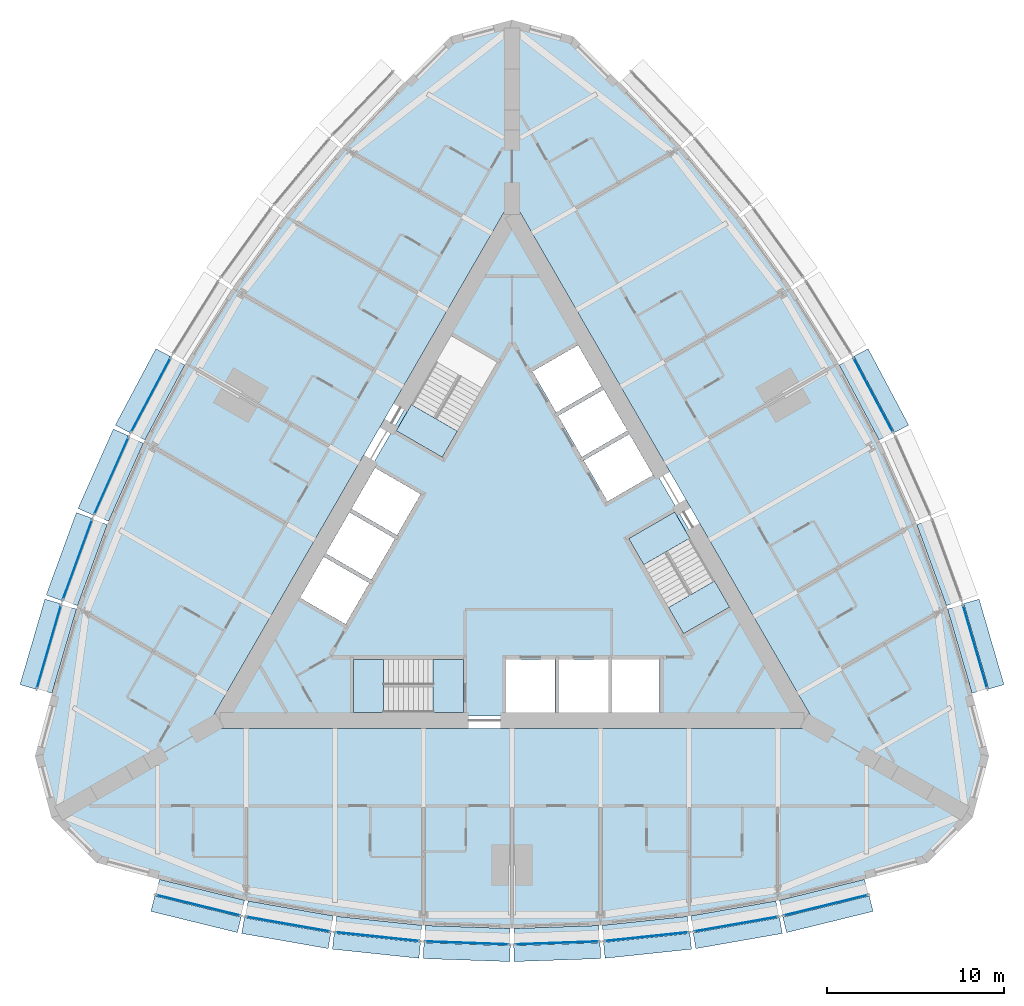
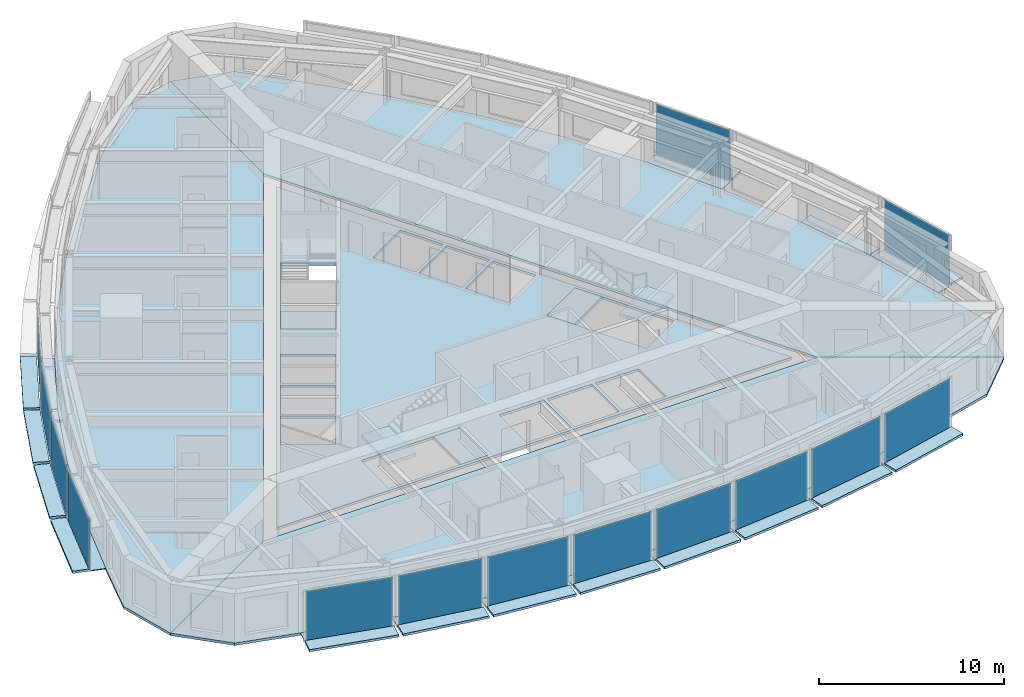
# One storey, part 6 of 14: 43 plates, 9 slabs, 17 elements without a shape of their own.
"""IFC4 building model written with IfcOpenShell, lengths in metres."""

from ifc_helpers import new_model, si_unit, direction, frame, origin, origin_2d, place, context, subcontext, project, spatial, polyline, rectangle, outline, extrude, material, layer, layer_set, type_object, element, aggregate, save


model = new_model("IFC4")

# Units and contexts
model_context = context("Model", 3, precision=1e-05, world=origin(), true_north=direction((0.0, 1.0)))
body_context = subcontext(model_context, "Body", "Model", "MODEL_VIEW")
ifc_project = project(units=[si_unit("LENGTHUNIT", "METRE"), si_unit("AREAUNIT", "SQUARE_METRE"), si_unit("VOLUMEUNIT", "CUBIC_METRE"), si_unit("PLANEANGLEUNIT", "RADIAN"), si_unit("MASSUNIT", "GRAM", prefix="KILO")], contexts=[model_context])

# Site, building, storey
site_placement = place(None, origin())
site = spatial("IfcSite", under=ifc_project, at=site_placement, CompositionType="ELEMENT")
building_placement = place(site_placement, origin())
building = spatial("IfcBuilding", under=site, at=building_placement, Name="Trikona Tower", CompositionType="ELEMENT")
storey_placement = place(building_placement, frame((0.0, 0.0, 124.89990234375)))
storey = spatial("IfcBuildingStorey", under=building, at=storey_placement, Name="L32", CompositionType="ELEMENT", Elevation=124.89990234375)

# Plates
ifc_material_1 = material(Name="Aluminium bar grating", Category="aluminium")
ifc_layer_1 = layer(ifc_material_1, 0.050048828125)
ifc_layer_set_1 = layer_set([ifc_layer_1], Name="Cavity catwalk grating")
plate_type_1 = type_object("IfcPlateType", Name="Cavity catwalk grating", PredefinedType="USERDEFINED", material=ifc_layer_set_1)
plate_1_placement = place(storey_placement, frame((-17.598876953125, -19.49072265625, -0.0498046875), z_axis=(0.0, 0.0, 1.0), x_axis=(0.971274411564, -0.237962218516, 0.0)))
element("IfcPlate", 1, at=plate_1_placement, inside=storey, type_object=plate_type_1, Name="Cavity catwalk L32-00", ObjectType="CATWALK GRATING", PredefinedType="USERDEFINED", context=body_context, shape_type="SweptSolid", body=[
    extrude(rectangle(XDim=4.947998046875, YDim=0.830078125, at=origin_2d()), origin(), (0.0, 0.0, 1.0), 0.050048828125),
])
plate_2_placement = place(storey_placement, frame((-12.571533203125, -20.54638671875, -0.0498046875), z_axis=(0.0, 0.0, 1.0), x_axis=(0.985030604067, -0.172379549401, 0.0)))
element("IfcPlate", 2, at=plate_2_placement, inside=storey, type_object=plate_type_1, Name="Cavity catwalk L32-01", ObjectType="CATWALK GRATING", PredefinedType="USERDEFINED", context=body_context, shape_type="SweptSolid", body=[
    extrude(rectangle(XDim=4.8759765625, YDim=0.830078125, at=origin_2d()), origin(), (0.0, 0.0, 1.0), 0.050048828125),
])
plate_3_placement = place(storey_placement, frame((-7.543212890625, -21.25048828125, -0.0498046875), z_axis=(0.0, 0.0, 1.0), x_axis=(0.994532653854, -0.104426052392, 0.0)))
element("IfcPlate", 3, at=plate_3_placement, inside=storey, type_object=plate_type_1, Name="Cavity catwalk L32-02", ObjectType="CATWALK GRATING", PredefinedType="USERDEFINED", context=body_context, shape_type="SweptSolid", body=[
    extrude(rectangle(XDim=4.827392578125, YDim=0.830078125, at=origin_2d()), origin(), (0.0, 0.0, 1.0), 0.050048828125),
])
for number, where, z_axis, x_axis, name in (
    (4, (-2.514404296875, -21.602294921875, -0.0498046875), (0.0, 0.0, 1.0), (0.999388082937, -0.034977988567, 0.0), "Cavity catwalk L32-03"),
    (5, (2.514404296875, -21.602294921875, -0.0498046875), (0.0, 0.0, 1.0), (0.999388082937, 0.034977988567, 0.0), "Cavity catwalk L32-04"),
):
    element("IfcPlate", number, at=place(storey_placement, frame(where, z_axis=z_axis, x_axis=x_axis)), inside=storey, type_object=plate_type_1, Name=name, ObjectType="CATWALK GRATING", PredefinedType="USERDEFINED", context=body_context, shape_type="SweptSolid", body=[
        extrude(rectangle(XDim=4.802978515625, YDim=0.830078125, at=origin_2d()), origin(), (0.0, 0.0, 1.0), 0.050048828125),
    ])
plate_4_placement = place(storey_placement, frame((7.543212890625, -21.25048828125, -0.0498046875), z_axis=(0.0, 0.0, 1.0), x_axis=(0.994532653854, 0.104426052392, 0.0)))
element("IfcPlate", 6, at=plate_4_placement, inside=storey, type_object=plate_type_1, Name="Cavity catwalk L32-05", ObjectType="CATWALK GRATING", PredefinedType="USERDEFINED", context=body_context, shape_type="SweptSolid", body=[
    extrude(rectangle(XDim=4.827392578125, YDim=0.830078125, at=origin_2d()), origin(), (0.0, 0.0, 1.0), 0.050048828125),
])
plate_5_placement = place(storey_placement, frame((12.571533203125, -20.54638671875, -0.0498046875), z_axis=(0.0, 0.0, 1.0), x_axis=(0.985030604067, 0.172379549401, 0.0)))
element("IfcPlate", 7, at=plate_5_placement, inside=storey, type_object=plate_type_1, Name="Cavity catwalk L32-06", ObjectType="CATWALK GRATING", PredefinedType="USERDEFINED", context=body_context, shape_type="SweptSolid", body=[
    extrude(rectangle(XDim=4.8759765625, YDim=0.830078125, at=origin_2d()), origin(), (0.0, 0.0, 1.0), 0.050048828125),
])
plate_6_placement = place(storey_placement, frame((17.598876953125, -19.49072265625, -0.0498046875), z_axis=(0.0, 0.0, 1.0), x_axis=(0.971274411564, 0.237962218516, 0.0)))
element("IfcPlate", 8, at=plate_6_placement, inside=storey, type_object=plate_type_1, Name="Cavity catwalk L32-07", ObjectType="CATWALK GRATING", PredefinedType="USERDEFINED", context=body_context, shape_type="SweptSolid", body=[
    extrude(rectangle(XDim=4.947998046875, YDim=0.830078125, at=origin_2d()), origin(), (0.0, 0.0, 1.0), 0.050048828125),
])
plate_7_placement = place(storey_placement, frame((25.678955078125, -5.49560546875, -0.0498046875), z_axis=(0.0, 0.0, 1.0), x_axis=(-0.279554203664, 0.960129911634, 0.0)))
element("IfcPlate", 9, at=plate_7_placement, inside=storey, type_object=plate_type_1, Name="Cavity catwalk L32-12", ObjectType="CATWALK GRATING", PredefinedType="USERDEFINED", context=body_context, shape_type="SweptSolid", body=[
    extrude(rectangle(XDim=4.94775390625, YDim=0.830078125, at=origin_2d()), origin(), (0.0, 0.0, 1.0), 0.050048828125),
])
plate_8_placement = place(storey_placement, frame((24.07958984375, -0.614013671875, -0.0498046875), z_axis=(0.0, 0.0, 1.0), x_axis=(-0.343220397324, 0.939254895575, 0.0)))
element("IfcPlate", 10, at=plate_8_placement, inside=storey, type_object=plate_type_1, Name="Cavity catwalk L32-13", ObjectType="CATWALK GRATING", PredefinedType="USERDEFINED", context=body_context, shape_type="SweptSolid", body=[
    extrude(rectangle(XDim=4.8759765625, YDim=0.830078125, at=origin_2d()), origin(), (0.0, 0.0, 1.0), 0.050048828125),
])
for number, where, z_axis, x_axis, name in (
    (11, (19.965576171875, 8.62353515625, -0.0498046875), (0.0, 0.0, 1.0), (-0.469397591494, 0.882986920118, 0.0), "Cavity catwalk L32-15"),
    (12, (-19.965576171875, 8.62353515625, -0.0498046875), (0.0, 0.0, 1.0), (-0.469397591494, -0.882986920118, 0.0), "Cavity catwalk L32-28"),
):
    element("IfcPlate", number, at=place(storey_placement, frame(where, z_axis=z_axis, x_axis=x_axis)), inside=storey, type_object=plate_type_1, Name=name, ObjectType="CATWALK GRATING", PredefinedType="USERDEFINED", context=body_context, shape_type="SweptSolid", body=[
        extrude(rectangle(XDim=4.802978515625, YDim=0.830078125, at=origin_2d()), origin(), (0.0, 0.0, 1.0), 0.050048828125),
    ])
plate_9_placement = place(storey_placement, frame((-22.175048828125, 4.092529296875, -0.0498046875), z_axis=(0.0, 0.0, 1.0), x_axis=(-0.406843467615, -0.913497888809, 0.0)))
element("IfcPlate", 13, at=plate_9_placement, inside=storey, type_object=plate_type_1, Name="Cavity catwalk L32-29", ObjectType="CATWALK GRATING", PredefinedType="USERDEFINED", context=body_context, shape_type="SweptSolid", body=[
    extrude(rectangle(XDim=4.827392578125, YDim=0.830078125, at=origin_2d()), origin(), (0.0, 0.0, 1.0), 0.050048828125),
])
plate_10_placement = place(storey_placement, frame((-24.07958984375, -0.614013671875, -0.0498046875), z_axis=(0.0, 0.0, 1.0), x_axis=(-0.343220397324, -0.939254895575, 0.0)))
element("IfcPlate", 14, at=plate_10_placement, inside=storey, type_object=plate_type_1, Name="Cavity catwalk L32-30", ObjectType="CATWALK GRATING", PredefinedType="USERDEFINED", context=body_context, shape_type="SweptSolid", body=[
    extrude(rectangle(XDim=4.8759765625, YDim=0.830078125, at=origin_2d()), origin(), (0.0, 0.0, 1.0), 0.050048828125),
])
plate_11_placement = place(storey_placement, frame((-25.678955078125, -5.49560546875, -0.0498046875), z_axis=(0.0, 0.0, 1.0), x_axis=(-0.279554203664, -0.960129911634, 0.0)))
element("IfcPlate", 15, at=plate_11_placement, inside=storey, type_object=plate_type_1, Name="Cavity catwalk L32-31", ObjectType="CATWALK GRATING", PredefinedType="USERDEFINED", context=body_context, shape_type="SweptSolid", body=[
    extrude(rectangle(XDim=4.94775390625, YDim=0.830078125, at=origin_2d()), origin(), (0.0, 0.0, 1.0), 0.050048828125),
])

# Slabs
ifc_material_2 = material(Name="Concrete f'c 5000 psi lightweight on composite steel deck", Category="concrete")
ifc_layer_2 = layer(ifc_material_2, 0.1650390625)
ifc_layer_set_2 = layer_set([ifc_layer_2], Name="Composite floor slab 165")
slab_type_1 = type_object("IfcSlabType", Name="Composite floor slab 165", PredefinedType="FLOOR", material=ifc_layer_set_2)
slab_1_placement = place(storey_placement, frame((0.0, 0.0, -0.164794921875)))
element("IfcSlab", 16, at=slab_1_placement, inside=storey, type_object=slab_type_1, Name="Floor slab L32 core", PredefinedType="FLOOR", context=body_context, shape_type="SweptSolid", body=[
    extrude(outline(polyline([(-16.06689453125, -9.2763671875), (16.06689453125, -9.2763671875), (0.0, 18.552490234375), (-16.06689453125, -9.2763671875)]), holes=[polyline([(12.285400390625, -3.126220703125), (9.185302734375, 2.2431640625), (6.587158203125, 0.7431640625), (9.687255859375, -4.626220703125), (12.285400390625, -3.126220703125)]), polyline([(8.340087890625, -9.06640625), (8.340087890625, -6.086181640625), (5.659912109375, -6.086181640625), (5.659912109375, -9.06640625), (8.340087890625, -9.06640625)]), polyline([(5.390869140625, 2.835205078125), (7.9716796875, 4.3251953125), (6.631591796875, 6.646240234375), (4.05078125, 5.15625), (5.390869140625, 2.835205078125)]), polyline([(2.600830078125, 7.667724609375), (3.94091796875, 5.3466796875), (6.521484375, 6.8369140625), (5.181640625, 9.15771484375), (2.600830078125, 7.667724609375)]), polyline([(5.43994140625, -6.086181640625), (2.659912109375, -6.086181640625), (2.659912109375, -9.06640625), (5.43994140625, -9.06640625), (5.43994140625, -6.086181640625)]), polyline([(3.731689453125, 11.669189453125), (1.15087890625, 10.17919921875), (2.490966796875, 7.858154296875), (5.071533203125, 9.34814453125), (3.731689453125, 11.669189453125)]), polyline([(-0.340087890625, -6.086181640625), (-0.340087890625, -9.06640625), (2.43994140625, -9.06640625), (2.43994140625, -6.086181640625), (-0.340087890625, -6.086181640625)]), polyline([(-3.435302734375, 12.202392578125), (-6.535400390625, 6.8330078125), (-3.937255859375, 5.3330078125), (-0.837158203125, 10.702392578125), (-3.435302734375, 12.202392578125)]), polyline([(-8.949951171875, -9.076416015625), (-2.75, -9.076416015625), (-2.75, -6.076416015625), (-8.949951171875, -6.076416015625), (-8.949951171875, -9.076416015625)]), polyline([(-5.15087890625, 3.2509765625), (-7.731689453125, 4.740966796875), (-9.071533203125, 2.419921875), (-6.490966796875, 0.929931640625), (-5.15087890625, 3.2509765625)]), polyline([(-7.94091796875, -1.581298828125), (-6.600830078125, 0.739501953125), (-9.181640625, 2.2294921875), (-10.521484375, -0.09130859375), (-7.94091796875, -1.581298828125)]), polyline([(-11.9716796875, -2.602783203125), (-9.390869140625, -4.093017578125), (-8.05078125, -1.77197265625), (-10.631591796875, -0.281982421875), (-11.9716796875, -2.602783203125)])]), origin(), (0.0, 0.0, 1.0), 0.164794921875),
])
slab_2_placement = place(storey_placement, frame((0.0, 0.0, -0.164794921875)))
element("IfcSlab", 17, at=slab_2_placement, inside=storey, type_object=slab_type_1, Name="Floor slab L32 south", PredefinedType="FLOOR", context=body_context, shape_type="SweptSolid", body=[
    extrude(outline(polyline([(23.464111328125, -17.547119140625), (26.0, -15.010986328125), (17.279296875, -9.976318359375), (-17.279296875, -9.976318359375), (-26.0, -15.010986328125), (-23.464111328125, -17.547119140625), (-20.0, -18.47509765625), (-15.0, -19.7001953125), (-10.0, -20.5751953125), (-5.0, -21.10009765625), (0.0, -21.275146484375), (5.0, -21.10009765625), (10.0, -20.5751953125), (15.0, -19.7001953125), (20.0, -18.47509765625), (23.464111328125, -17.547119140625)])), origin(), (0.0, 0.0, 1.0), 0.164794921875),
])
slab_3_placement = place(storey_placement, frame((0.0, 0.0, -0.164794921875)))
element("IfcSlab", 18, at=slab_3_placement, inside=storey, type_object=slab_type_1, Name="Floor slab L32 north-east", PredefinedType="FLOOR", context=body_context, shape_type="SweptSolid", body=[
    extrude(outline(polyline([(3.464111328125, 29.093994140625), (0.0, 30.022216796875), (0.0, 19.95263671875), (17.279296875, -9.976318359375), (26.0, -15.010986328125), (26.92822265625, -11.547119140625), (26.0, -8.0830078125), (24.560791015625, -3.140380859375), (22.818603515625, 1.62744140625), (20.773193359375, 6.219970703125), (18.4248046875, 10.6376953125), (15.773193359375, 14.880126953125), (12.818603515625, 18.947998046875), (9.560791015625, 22.840576171875), (6.0, 26.55810546875), (3.464111328125, 29.093994140625)])), origin(), (0.0, 0.0, 1.0), 0.164794921875),
])
slab_4_placement = place(storey_placement, frame((0.0, 0.0, -0.164794921875)))
element("IfcSlab", 19, at=slab_4_placement, inside=storey, type_object=slab_type_1, Name="Floor slab L32 north-west", PredefinedType="FLOOR", context=body_context, shape_type="SweptSolid", body=[
    extrude(outline(polyline([(0.0, 19.95263671875), (0.0, 30.022216796875), (-3.464111328125, 29.093994140625), (-6.0, 26.55810546875), (-9.560791015625, 22.840576171875), (-12.818603515625, 18.947998046875), (-15.773193359375, 14.880126953125), (-18.4248046875, 10.6376953125), (-20.773193359375, 6.219970703125), (-22.818603515625, 1.62744140625), (-24.560791015625, -3.140380859375), (-26.0, -8.0830078125), (-26.92822265625, -11.547119140625), (-26.0, -15.010986328125), (-17.279296875, -9.976318359375), (0.0, 19.95263671875)])), origin(), (0.0, 0.0, 1.0), 0.164794921875),
])

# Curtain wall, plate
ifc_material_3 = material(Name="Aluminium curtain wall system", Category="aluminium")
curtain_wall_type = type_object("IfcCurtainWallType", Name="Curtain wall DS2", PredefinedType="NOTDEFINED", material=ifc_material_3)
curtain_wall_1_placement = place(storey_placement, origin())
curtain_wall_1 = element("IfcCurtainWall", 20, at=curtain_wall_1_placement, inside=storey, type_object=curtain_wall_type, Name="Curtain wall DS2 L32", PredefinedType="NOTDEFINED")
ifc_material_4 = material(Name="Laminated clear glass", Category="glass")
ifc_layer_3 = layer(ifc_material_4, 0.028076171875)
ifc_layer_set_3 = layer_set([ifc_layer_3], Name="Glass panel DS2")
plate_type_2 = type_object("IfcPlateType", Name="Glass panel DS2", PredefinedType="CURTAIN_PANEL", material=ifc_layer_set_3)
plate_12_placement = place(storey_placement, frame((-17.714111328125, -19.9619140625, 0.0), z_axis=(0.0, 0.0, 1.0), x_axis=(0.971272455026, -0.237970204243, 0.0)))
plate_12 = element("IfcPlate", 21, at=plate_12_placement, type_object=plate_type_2, Name="CW-DS2 panel 1.1", PredefinedType="CURTAIN_PANEL", context=body_context, shape_type="SweptSolid", body=[
    extrude(rectangle(XDim=4.867919921875, YDim=0.028076171875, at=origin_2d()), origin(), (0.0, 0.0, 1.0), 3.320068359375),
])
aggregate(curtain_wall_1, [plate_12])

curtain_wall_2_placement = place(storey_placement, origin())
curtain_wall_2 = element("IfcCurtainWall", 22, at=curtain_wall_2_placement, inside=storey, type_object=curtain_wall_type, Name="Curtain wall DS2 L32", PredefinedType="NOTDEFINED")
plate_13_placement = place(storey_placement, frame((-12.655029296875, -21.024169921875, 0.0), z_axis=(0.0, 0.0, 1.0), x_axis=(0.985030981074, -0.17237739505, 0.0)))
plate_13 = element("IfcPlate", 23, at=plate_13_placement, type_object=plate_type_2, Name="CW-DS2 panel 1.1", PredefinedType="CURTAIN_PANEL", context=body_context, shape_type="SweptSolid", body=[
    extrude(rectangle(XDim=4.7958984375, YDim=0.028076171875, at=origin_2d()), origin(), (0.0, 0.0, 1.0), 3.320068359375),
])
aggregate(curtain_wall_2, [plate_13])

curtain_wall_3_placement = place(storey_placement, origin())
curtain_wall_3 = element("IfcCurtainWall", 24, at=curtain_wall_3_placement, inside=storey, type_object=curtain_wall_type, Name="Curtain wall DS2 L32", PredefinedType="NOTDEFINED")
plate_14_placement = place(storey_placement, frame((-7.593994140625, -21.732666015625, 0.0), z_axis=(0.0, 0.0, 1.0), x_axis=(0.994531883654, -0.104433387357, 0.0)))
plate_14 = element("IfcPlate", 25, at=plate_14_placement, type_object=plate_type_2, Name="CW-DS2 panel 1.1", PredefinedType="CURTAIN_PANEL", context=body_context, shape_type="SweptSolid", body=[
    extrude(rectangle(XDim=4.747314453125, YDim=0.028076171875, at=origin_2d()), origin(), (0.0, 0.0, 1.0), 3.320068359375),
])
aggregate(curtain_wall_3, [plate_14])

curtain_wall_4_placement = place(storey_placement, origin())
curtain_wall_4 = element("IfcCurtainWall", 26, at=curtain_wall_4_placement, inside=storey, type_object=curtain_wall_type, Name="Curtain wall DS2 L32", PredefinedType="NOTDEFINED")
plate_15_placement = place(storey_placement, frame((-2.531494140625, -22.087158203125, 0.0), z_axis=(0.0, 0.0, 1.0), x_axis=(0.99938737114, -0.034998320052, 0.0)))
plate_15 = element("IfcPlate", 27, at=plate_15_placement, type_object=plate_type_2, Name="CW-DS2 panel 1.1", PredefinedType="CURTAIN_PANEL", context=body_context, shape_type="SweptSolid", body=[
    extrude(rectangle(XDim=4.72314453125, YDim=0.028076171875, at=origin_2d()), origin(), (0.0, 0.0, 1.0), 3.320068359375),
])
aggregate(curtain_wall_4, [plate_15])

curtain_wall_5_placement = place(storey_placement, origin())
curtain_wall_5 = element("IfcCurtainWall", 28, at=curtain_wall_5_placement, inside=storey, type_object=curtain_wall_type, Name="Curtain wall DS2 L32", PredefinedType="NOTDEFINED")
plate_16_placement = place(storey_placement, frame((2.531494140625, -22.087158203125, 0.0), z_axis=(0.0, 0.0, 1.0), x_axis=(0.99938737114, 0.034998320052, 0.0)))
plate_16 = element("IfcPlate", 29, at=plate_16_placement, type_object=plate_type_2, Name="CW-DS2 panel 1.1", PredefinedType="CURTAIN_PANEL", context=body_context, shape_type="SweptSolid", body=[
    extrude(rectangle(XDim=4.72314453125, YDim=0.028076171875, at=origin_2d()), origin(), (0.0, 0.0, 1.0), 3.320068359375),
])
aggregate(curtain_wall_5, [plate_16])

curtain_wall_6_placement = place(storey_placement, origin())
curtain_wall_6 = element("IfcCurtainWall", 30, at=curtain_wall_6_placement, inside=storey, type_object=curtain_wall_type, Name="Curtain wall DS2 L32", PredefinedType="NOTDEFINED")
plate_17_placement = place(storey_placement, frame((7.593994140625, -21.732666015625, 0.0), z_axis=(0.0, 0.0, 1.0), x_axis=(0.994531883654, 0.104433387357, 0.0)))
plate_17 = element("IfcPlate", 31, at=plate_17_placement, type_object=plate_type_2, Name="CW-DS2 panel 1.1", PredefinedType="CURTAIN_PANEL", context=body_context, shape_type="SweptSolid", body=[
    extrude(rectangle(XDim=4.747314453125, YDim=0.028076171875, at=origin_2d()), origin(), (0.0, 0.0, 1.0), 3.320068359375),
])
aggregate(curtain_wall_6, [plate_17])

curtain_wall_7_placement = place(storey_placement, origin())
curtain_wall_7 = element("IfcCurtainWall", 32, at=curtain_wall_7_placement, inside=storey, type_object=curtain_wall_type, Name="Curtain wall DS2 L32", PredefinedType="NOTDEFINED")
plate_18_placement = place(storey_placement, frame((12.655029296875, -21.024169921875, 0.0), z_axis=(0.0, 0.0, 1.0), x_axis=(0.985030981074, 0.17237739505, 0.0)))
plate_18 = element("IfcPlate", 33, at=plate_18_placement, type_object=plate_type_2, Name="CW-DS2 panel 1.1", PredefinedType="CURTAIN_PANEL", context=body_context, shape_type="SweptSolid", body=[
    extrude(rectangle(XDim=4.7958984375, YDim=0.028076171875, at=origin_2d()), origin(), (0.0, 0.0, 1.0), 3.320068359375),
])
aggregate(curtain_wall_7, [plate_18])

curtain_wall_8_placement = place(storey_placement, origin())
curtain_wall_8 = element("IfcCurtainWall", 34, at=curtain_wall_8_placement, inside=storey, type_object=curtain_wall_type, Name="Curtain wall DS2 L32", PredefinedType="NOTDEFINED")
plate_19_placement = place(storey_placement, frame((17.714111328125, -19.9619140625, 0.0), z_axis=(0.0, 0.0, 1.0), x_axis=(0.971272455026, 0.237970204243, 0.0)))
plate_19 = element("IfcPlate", 35, at=plate_19_placement, type_object=plate_type_2, Name="CW-DS2 panel 1.1", PredefinedType="CURTAIN_PANEL", context=body_context, shape_type="SweptSolid", body=[
    extrude(rectangle(XDim=4.867919921875, YDim=0.028076171875, at=origin_2d()), origin(), (0.0, 0.0, 1.0), 3.320068359375),
])
aggregate(curtain_wall_8, [plate_19])

curtain_wall_9_placement = place(storey_placement, origin())
curtain_wall_9 = element("IfcCurtainWall", 36, at=curtain_wall_9_placement, inside=storey, type_object=curtain_wall_type, Name="Curtain wall DS2 L32", PredefinedType="NOTDEFINED")
plate_20_placement = place(storey_placement, frame((26.14453125, -5.360107421875, 0.0), z_axis=(0.0, 0.0, 1.0), x_axis=(-0.279543247757, 0.96013310152, 0.0)))
plate_20 = element("IfcPlate", 37, at=plate_20_placement, type_object=plate_type_2, Name="CW-DS2 panel 1.1", PredefinedType="CURTAIN_PANEL", context=body_context, shape_type="SweptSolid", body=[
    extrude(rectangle(XDim=4.867919921875, YDim=0.028076171875, at=origin_2d()), origin(), (0.0, 0.0, 1.0), 3.320068359375),
])
aggregate(curtain_wall_9, [plate_20])

curtain_wall_10_placement = place(storey_placement, origin())
curtain_wall_10 = element("IfcCurtainWall", 38, at=curtain_wall_10_placement, inside=storey, type_object=curtain_wall_type, Name="Curtain wall DS2 L32", PredefinedType="NOTDEFINED")
plate_21_placement = place(storey_placement, frame((20.393798828125, 8.851318359375, 0.0), z_axis=(0.0, 0.0, 1.0), x_axis=(-0.469380308937, 0.882996107343, 0.0)))
plate_21 = element("IfcPlate", 39, at=plate_21_placement, type_object=plate_type_2, Name="CW-DS2 panel 1.1", PredefinedType="CURTAIN_PANEL", context=body_context, shape_type="SweptSolid", body=[
    extrude(rectangle(XDim=4.72314453125, YDim=0.028076171875, at=origin_2d()), origin(), (0.0, 0.0, 1.0), 3.320068359375),
])
aggregate(curtain_wall_10, [plate_21])

curtain_wall_11_placement = place(storey_placement, origin())
curtain_wall_11 = element("IfcCurtainWall", 40, at=curtain_wall_11_placement, inside=storey, type_object=curtain_wall_type, Name="Curtain wall DS2 L32", PredefinedType="NOTDEFINED")
plate_22_placement = place(storey_placement, frame((-20.393798828125, 8.851318359375, 0.0), z_axis=(0.0, 0.0, 1.0), x_axis=(-0.469380308937, -0.882996107343, 0.0)))
plate_22 = element("IfcPlate", 41, at=plate_22_placement, type_object=plate_type_2, Name="CW-DS2 panel 1.1", PredefinedType="CURTAIN_PANEL", context=body_context, shape_type="SweptSolid", body=[
    extrude(rectangle(XDim=4.72314453125, YDim=0.028076171875, at=origin_2d()), origin(), (0.0, 0.0, 1.0), 3.320068359375),
])
aggregate(curtain_wall_11, [plate_22])

curtain_wall_12_placement = place(storey_placement, origin())
curtain_wall_12 = element("IfcCurtainWall", 42, at=curtain_wall_12_placement, inside=storey, type_object=curtain_wall_type, Name="Curtain wall DS2 L32", PredefinedType="NOTDEFINED")
plate_23_placement = place(storey_placement, frame((-22.6181640625, 4.289794921875, 0.0), z_axis=(0.0, 0.0, 1.0), x_axis=(-0.406836013132, -0.913501208767, 0.0)))
plate_23 = element("IfcPlate", 43, at=plate_23_placement, type_object=plate_type_2, Name="CW-DS2 panel 1.1", PredefinedType="CURTAIN_PANEL", context=body_context, shape_type="SweptSolid", body=[
    extrude(rectangle(XDim=4.747314453125, YDim=0.028076171875, at=origin_2d()), origin(), (0.0, 0.0, 1.0), 3.320068359375),
])
aggregate(curtain_wall_12, [plate_23])

curtain_wall_13_placement = place(storey_placement, origin())
curtain_wall_13 = element("IfcCurtainWall", 44, at=curtain_wall_13_placement, inside=storey, type_object=curtain_wall_type, Name="Curtain wall DS2 L32", PredefinedType="NOTDEFINED")
plate_24_placement = place(storey_placement, frame((-24.53515625, -0.447509765625, 0.0), z_axis=(0.0, 0.0, 1.0), x_axis=(-0.343223420143, -0.939253790978, 0.0)))
plate_24 = element("IfcPlate", 45, at=plate_24_placement, type_object=plate_type_2, Name="CW-DS2 panel 1.1", PredefinedType="CURTAIN_PANEL", context=body_context, shape_type="SweptSolid", body=[
    extrude(rectangle(XDim=4.7958984375, YDim=0.028076171875, at=origin_2d()), origin(), (0.0, 0.0, 1.0), 3.320068359375),
])
aggregate(curtain_wall_13, [plate_24])

curtain_wall_14_placement = place(storey_placement, origin())
curtain_wall_14 = element("IfcCurtainWall", 46, at=curtain_wall_14_placement, inside=storey, type_object=curtain_wall_type, Name="Curtain wall DS2 L32", PredefinedType="NOTDEFINED")
plate_25_placement = place(storey_placement, frame((-26.14453125, -5.360107421875, 0.0), z_axis=(0.0, 0.0, 1.0), x_axis=(-0.279543247757, -0.96013310152, 0.0)))
plate_25 = element("IfcPlate", 47, at=plate_25_placement, type_object=plate_type_2, Name="CW-DS2 panel 1.1", PredefinedType="CURTAIN_PANEL", context=body_context, shape_type="SweptSolid", body=[
    extrude(rectangle(XDim=4.867919921875, YDim=0.028076171875, at=origin_2d()), origin(), (0.0, 0.0, 1.0), 3.320068359375),
])
aggregate(curtain_wall_14, [plate_25])

# Plates
ifc_material_5 = material(Name="Aluminium plate fin, pale anodised, on stainless steel outriggers", Category="steel")
ifc_layer_4 = layer(ifc_material_5, 0.14990234375)
ifc_layer_set_4 = layer_set([ifc_layer_4], Name="Outer skin fin 900")
plate_type_3 = type_object("IfcPlateType", Name="Outer skin fin 900", PredefinedType="USERDEFINED", material=ifc_layer_set_4)
plate_26_placement = place(storey_placement, frame((-17.837890625, -20.466796875, 0.000244140625), z_axis=(0.0, 0.0, 1.0), x_axis=(0.971274411564, -0.237962218516, 0.0)))
element("IfcPlate", 48, at=plate_26_placement, inside=storey, type_object=plate_type_3, Name="Outer skin fin L32-00", ObjectType="FIN", PredefinedType="USERDEFINED", context=body_context, shape_type="SweptSolid", body=[
    extrude(rectangle(XDim=5.02783203125, YDim=0.89990234375, at=origin_2d()), origin(), (0.0, 0.0, 1.0), 0.14990234375),
])
plate_27_placement = place(storey_placement, frame((-12.744873046875, -21.536376953125, 0.000244140625), z_axis=(0.0, 0.0, 1.0), x_axis=(0.985030604067, -0.172379549401, 0.0)))
element("IfcPlate", 49, at=plate_27_placement, inside=storey, type_object=plate_type_3, Name="Outer skin fin L32-01", ObjectType="FIN", PredefinedType="USERDEFINED", context=body_context, shape_type="SweptSolid", body=[
    extrude(rectangle(XDim=4.9560546875, YDim=0.89990234375, at=origin_2d()), origin(), (0.0, 0.0, 1.0), 0.14990234375),
])
plate_28_placement = place(storey_placement, frame((-7.648193359375, -22.25, 0.000244140625), z_axis=(0.0, 0.0, 1.0), x_axis=(0.994532653854, -0.104426052392, 0.0)))
element("IfcPlate", 50, at=plate_28_placement, inside=storey, type_object=plate_type_3, Name="Outer skin fin L32-02", ObjectType="FIN", PredefinedType="USERDEFINED", context=body_context, shape_type="SweptSolid", body=[
    extrude(rectangle(XDim=4.907470703125, YDim=0.89990234375, at=origin_2d()), origin(), (0.0, 0.0, 1.0), 0.14990234375),
])
for number, where, z_axis, x_axis, name in (
    (51, (-2.5498046875, -22.606689453125, 0.000244140625), (0.0, 0.0, 1.0), (0.999388082937, -0.034977988567, 0.0), "Outer skin fin L32-03"),
    (52, (2.5498046875, -22.606689453125, 0.000244140625), (0.0, 0.0, 1.0), (0.999388082937, 0.034977988567, 0.0), "Outer skin fin L32-04"),
):
    element("IfcPlate", number, at=place(storey_placement, frame(where, z_axis=z_axis, x_axis=x_axis)), inside=storey, type_object=plate_type_3, Name=name, ObjectType="FIN", PredefinedType="USERDEFINED", context=body_context, shape_type="SweptSolid", body=[
        extrude(rectangle(XDim=4.883056640625, YDim=0.89990234375, at=origin_2d()), origin(), (0.0, 0.0, 1.0), 0.14990234375),
    ])
plate_29_placement = place(storey_placement, frame((7.648193359375, -22.25, 0.000244140625), z_axis=(0.0, 0.0, 1.0), x_axis=(0.994532653854, 0.104426052392, 0.0)))
element("IfcPlate", 53, at=plate_29_placement, inside=storey, type_object=plate_type_3, Name="Outer skin fin L32-05", ObjectType="FIN", PredefinedType="USERDEFINED", context=body_context, shape_type="SweptSolid", body=[
    extrude(rectangle(XDim=4.907470703125, YDim=0.89990234375, at=origin_2d()), origin(), (0.0, 0.0, 1.0), 0.14990234375),
])
plate_30_placement = place(storey_placement, frame((12.744873046875, -21.536376953125, 0.000244140625), z_axis=(0.0, 0.0, 1.0), x_axis=(0.985030604067, 0.172379549401, 0.0)))
element("IfcPlate", 54, at=plate_30_placement, inside=storey, type_object=plate_type_3, Name="Outer skin fin L32-06", ObjectType="FIN", PredefinedType="USERDEFINED", context=body_context, shape_type="SweptSolid", body=[
    extrude(rectangle(XDim=4.9560546875, YDim=0.89990234375, at=origin_2d()), origin(), (0.0, 0.0, 1.0), 0.14990234375),
])
for number, where, z_axis, x_axis, name in (
    (55, (17.837890625, -20.466796875, 0.000244140625), (0.0, 0.0, 1.0), (0.971274411564, 0.237962218516, 0.0), "Outer skin fin L32-07"),
    (56, (26.643798828125, -5.214599609375, 0.000244140625), (0.0, 0.0, 1.0), (-0.279554203664, 0.960129911634, 0.0), "Outer skin fin L32-12"),
):
    element("IfcPlate", number, at=place(storey_placement, frame(where, z_axis=z_axis, x_axis=x_axis)), inside=storey, type_object=plate_type_3, Name=name, ObjectType="FIN", PredefinedType="USERDEFINED", context=body_context, shape_type="SweptSolid", body=[
        extrude(rectangle(XDim=5.02783203125, YDim=0.89990234375, at=origin_2d()), origin(), (0.0, 0.0, 1.0), 0.14990234375),
    ])
for number, where, z_axis, x_axis, name in (
    (57, (20.852783203125, 9.09521484375, 0.000244140625), (0.0, 0.0, 1.0), (-0.469397591494, 0.882986920118, 0.0), "Outer skin fin L32-15"),
    (58, (-20.852783203125, 9.09521484375, 0.000244140625), (0.0, 0.0, 1.0), (-0.469397591494, -0.882986920118, 0.0), "Outer skin fin L32-28"),
):
    element("IfcPlate", number, at=place(storey_placement, frame(where, z_axis=z_axis, x_axis=x_axis)), inside=storey, type_object=plate_type_3, Name=name, ObjectType="FIN", PredefinedType="USERDEFINED", context=body_context, shape_type="SweptSolid", body=[
        extrude(rectangle(XDim=4.883056640625, YDim=0.89990234375, at=origin_2d()), origin(), (0.0, 0.0, 1.0), 0.14990234375),
    ])
plate_31_placement = place(storey_placement, frame((-23.09326171875, 4.50146484375, 0.000244140625), z_axis=(0.0, 0.0, 1.0), x_axis=(-0.406843467615, -0.913497888809, 0.0)))
element("IfcPlate", 59, at=plate_31_placement, inside=storey, type_object=plate_type_3, Name="Outer skin fin L32-29", ObjectType="FIN", PredefinedType="USERDEFINED", context=body_context, shape_type="SweptSolid", body=[
    extrude(rectangle(XDim=4.907470703125, YDim=0.89990234375, at=origin_2d()), origin(), (0.0, 0.0, 1.0), 0.14990234375),
])
plate_32_placement = place(storey_placement, frame((-25.0234375, -0.26904296875, 0.000244140625), z_axis=(0.0, 0.0, 1.0), x_axis=(-0.343220397324, -0.939254895575, 0.0)))
element("IfcPlate", 60, at=plate_32_placement, inside=storey, type_object=plate_type_3, Name="Outer skin fin L32-30", ObjectType="FIN", PredefinedType="USERDEFINED", context=body_context, shape_type="SweptSolid", body=[
    extrude(rectangle(XDim=4.9560546875, YDim=0.89990234375, at=origin_2d()), origin(), (0.0, 0.0, 1.0), 0.14990234375),
])
plate_33_placement = place(storey_placement, frame((-26.643798828125, -5.214599609375, 0.000244140625), z_axis=(0.0, 0.0, 1.0), x_axis=(-0.279554203664, -0.960129911634, 0.0)))
element("IfcPlate", 61, at=plate_33_placement, inside=storey, type_object=plate_type_3, Name="Outer skin fin L32-31", ObjectType="FIN", PredefinedType="USERDEFINED", context=body_context, shape_type="SweptSolid", body=[
    extrude(rectangle(XDim=5.02783203125, YDim=0.89990234375, at=origin_2d()), origin(), (0.0, 0.0, 1.0), 0.14990234375),
])

# Stair, slabs
ifc_material_6 = material(Name="Concrete f'c 5000 psi", Category="concrete")
stair_type = type_object("IfcStairType", Name="Core stair", PredefinedType="HALF_TURN_STAIR", material=ifc_material_6)
stair_1_placement = place(storey_placement, origin())
stair_1 = element("IfcStair", 62, at=stair_1_placement, inside=storey, type_object=stair_type, Name="Stair A L32", PredefinedType="HALF_TURN_STAIR")
ifc_material_7 = material(Name="Concrete f'c 5000 psi", Category="concrete")
ifc_layer_5 = layer(ifc_material_7, 0.199951171875)
ifc_layer_set_5 = layer_set([ifc_layer_5], Name="Stair landing 200")
slab_type_2 = type_object("IfcSlabType", Name="Stair landing 200", PredefinedType="LANDING", material=ifc_layer_set_5)
slab_5_placement = place(storey_placement, frame((0.0, 0.0, -0.199951171875)))
slab_5 = element("IfcSlab", 63, at=slab_5_placement, type_object=slab_type_2, Name="ST-A landing 1", PredefinedType="LANDING", context=body_context, shape_type="SweptSolid", body=[
    extrude(outline(polyline([(-4.452880859375, -6.076416015625), (-2.75, -6.076416015625), (-2.75, -9.076416015625), (-4.452880859375, -9.076416015625), (-4.452880859375, -6.076416015625)])), origin(), (0.0, 0.0, 1.0), 0.199951171875),
])
slab_6_placement = place(storey_placement, frame((0.0, 0.0, 1.5)))
slab_6 = element("IfcSlab", 64, at=slab_6_placement, type_object=slab_type_2, Name="ST-A landing 2", PredefinedType="LANDING", context=body_context, shape_type="SweptSolid", body=[
    extrude(outline(polyline([(-8.949951171875, -6.076416015625), (-7.2470703125, -6.076416015625), (-7.2470703125, -9.076416015625), (-8.949951171875, -9.076416015625), (-8.949951171875, -6.076416015625)])), origin(), (0.0, 0.0, 1.0), 0.2001953125),
])
aggregate(stair_1, [slab_5, slab_6])

stair_2_placement = place(storey_placement, origin())
stair_2 = element("IfcStair", 65, at=stair_2_placement, inside=storey, type_object=stair_type, Name="Stair B L32", PredefinedType="HALF_TURN_STAIR")
slab_7_placement = place(storey_placement, frame((0.0, 0.0, -0.199951171875)))
slab_7 = element("IfcSlab", 66, at=slab_7_placement, type_object=slab_type_2, Name="ST-B landing 1", PredefinedType="LANDING", context=body_context, shape_type="SweptSolid", body=[
    extrude(outline(polyline([(7.438720703125, -0.731689453125), (6.587158203125, 0.7431640625), (9.185302734375, 2.2431640625), (10.036865234375, 0.768310546875), (7.438720703125, -0.731689453125)])), origin(), (0.0, 0.0, 1.0), 0.199951171875),
])
slab_8_placement = place(storey_placement, frame((0.0, 0.0, 1.5)))
slab_8 = element("IfcSlab", 67, at=slab_8_placement, type_object=slab_type_2, Name="ST-B landing 2", PredefinedType="LANDING", context=body_context, shape_type="SweptSolid", body=[
    extrude(outline(polyline([(9.687255859375, -4.626220703125), (8.835693359375, -3.1513671875), (11.433837890625, -1.6513671875), (12.285400390625, -3.126220703125), (9.687255859375, -4.626220703125)])), origin(), (0.0, 0.0, 1.0), 0.2001953125),
])
aggregate(stair_2, [slab_7, slab_8])

# Stair, slab
stair_3_placement = place(storey_placement, origin())
stair_3 = element("IfcStair", 68, at=stair_3_placement, inside=storey, type_object=stair_type, Name="Stair C L32", PredefinedType="HALF_TURN_STAIR")
slab_9_placement = place(storey_placement, frame((0.0, 0.0, -0.199951171875)))
slab_9 = element("IfcSlab", 69, at=slab_9_placement, type_object=slab_type_2, Name="ST-C landing 1", PredefinedType="LANDING", context=body_context, shape_type="SweptSolid", body=[
    extrude(outline(polyline([(-3.085693359375, 6.807861328125), (-3.937255859375, 5.3330078125), (-6.535400390625, 6.8330078125), (-5.683837890625, 8.307861328125), (-3.085693359375, 6.807861328125)])), origin(), (0.0, 0.0, 1.0), 0.199951171875),
])
aggregate(stair_3, [slab_9])

save(model, "model.ifc")
